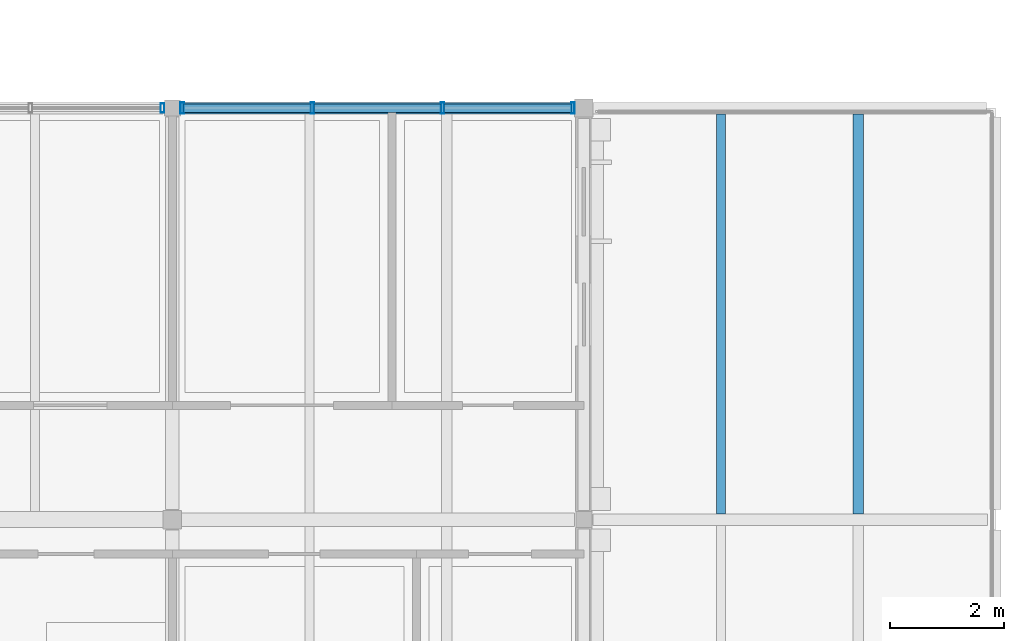
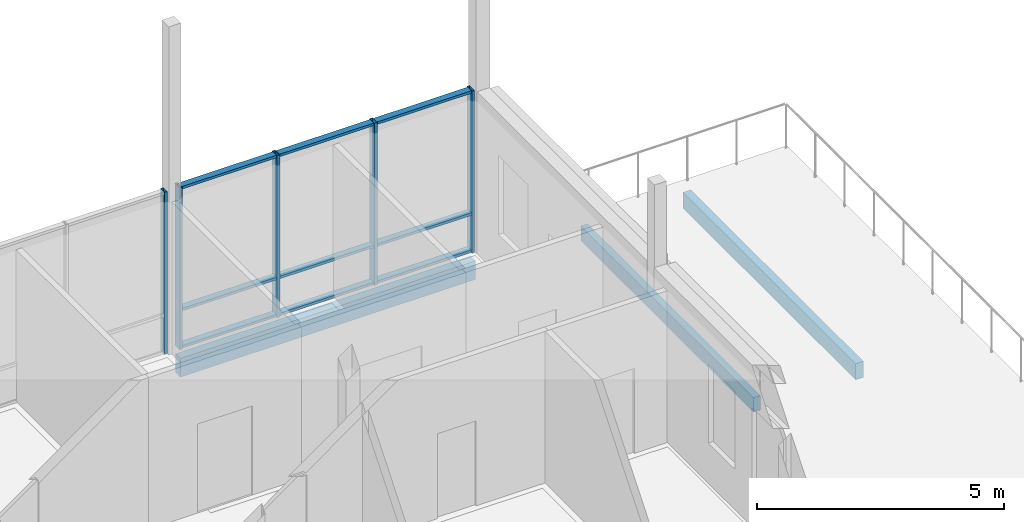
# One storey, part 26 of 57: 14 members, 3 beams, 2 elements without a shape of their own.
"""IFC4 building model written with IfcOpenShell, lengths in metres."""

from ifc_helpers import new_model, si_unit, direction, frame, origin, origin_2d, place, context, subcontext, project, spatial, rectangle, hollow_rectangle, extrude, material, material_profile, profile_set, type_object, element, aggregate, save


model = new_model("IFC4")

# Units and contexts
model_context = context("Model", 3, precision=1e-05, world=origin(), true_north=direction((0.0, 1.0)))
body_context = subcontext(model_context, "Body", "Model", "MODEL_VIEW")
ifc_project = project(units=[si_unit("LENGTHUNIT", "METRE"), si_unit("AREAUNIT", "SQUARE_METRE"), si_unit("VOLUMEUNIT", "CUBIC_METRE"), si_unit("PLANEANGLEUNIT", "RADIAN"), si_unit("MASSUNIT", "GRAM", prefix="KILO")], contexts=[model_context])

# Site, building, storey
site_placement = place(None, origin())
site = spatial("IfcSite", under=ifc_project, at=site_placement, CompositionType="ELEMENT")
building_placement = place(site_placement, origin())
building = spatial("IfcBuilding", under=site, at=building_placement, Name="Hawrajan Terrace Health Centre", CompositionType="ELEMENT")
storey_placement = place(building_placement, frame((0.0, 0.0, 13.199951171875)))
storey = spatial("IfcBuildingStorey", under=building, at=storey_placement, Name="L03", CompositionType="ELEMENT", Elevation=13.199951171875)

# Curtain wall, member
ifc_material_1 = material(Name="Anodized bronze aluminium and low-E solar glazing", Category="aluminium")
curtain_wall_type_1 = type_object("IfcCurtainWallType", Name="CW_Court_SeriesA3", PredefinedType="USERDEFINED", material=ifc_material_1)
curtain_wall_1_placement = place(storey_placement, origin())
curtain_wall_1 = element("IfcCurtainWall", 1, at=curtain_wall_1_placement, inside=storey, type_object=curtain_wall_type_1, Name="Curtain wall CW-L03-171", ObjectType="UNITISED CURTAIN WALL", PredefinedType="USERDEFINED")
ifc_material_2 = material(Name="Anodized bronze aluminium 6063-T6", Category="aluminium")
ifc_material_profile_1 = material_profile(ifc_material_2, hollow_rectangle(XDim=0.06494140625, YDim=0.159912109375, WallThickness=0.00390625, at=origin_2d()), Name="CW MUL 65x160")
ifc_profile_set_1 = profile_set([ifc_material_profile_1], Name="Anodized bronze aluminium 6063-T6")
member_type_1 = type_object("IfcMemberType", Name="CWMullion_65x160", PredefinedType="MULLION", material=ifc_profile_set_1)
member_1_placement = place(storey_placement, frame((100.427490234375, 18.60009765625, -0.0048828125), z_axis=(0.0, 0.0, 1.0), x_axis=(1.0, 0.0, 0.0)))
member_1 = element("IfcMember", 2, at=member_1_placement, type_object=member_type_1, Name="Mullion CW-L03-171-M5", PredefinedType="MULLION", context=body_context, shape_type="SweptSolid", body=[
    extrude(hollow_rectangle(XDim=0.06494140625, YDim=0.159912109375, WallThickness=0.00390625, at=origin_2d()), origin(), (0.0, 0.0, 1.0), 4.010009765625),
])
aggregate(curtain_wall_1, [member_1])

# Curtain wall, members
curtain_wall_type_2 = type_object("IfcCurtainWallType", Name="CW_Court_SeriesB1", PredefinedType="USERDEFINED", material=ifc_material_1)
curtain_wall_2_placement = place(storey_placement, origin())
curtain_wall_2 = element("IfcCurtainWall", 3, at=curtain_wall_2_placement, inside=storey, type_object=curtain_wall_type_2, Name="Curtain wall CW-L03-172", ObjectType="UNITISED CURTAIN WALL", PredefinedType="USERDEFINED")
ifc_material_profile_2 = material_profile(ifc_material_2, hollow_rectangle(XDim=0.06494140625, YDim=0.199951171875, WallThickness=0.00439453125, at=origin_2d()), Name="CW MUL 65x200")
ifc_profile_set_2 = profile_set([ifc_material_profile_2], Name="Anodized bronze aluminium 6063-T6")
member_type_2 = type_object("IfcMemberType", Name="CWMullion_65x200", PredefinedType="MULLION", material=ifc_profile_set_2)
member_2_placement = place(storey_placement, frame((100.7724609375, 18.60009765625, -0.0048828125), z_axis=(0.0, 0.0, 1.0), x_axis=(1.0, 0.0, 0.0)))
member_2 = element("IfcMember", 4, at=member_2_placement, type_object=member_type_2, Name="Mullion CW-L03-172-M1", PredefinedType="MULLION", context=body_context, shape_type="SweptSolid", body=[
    extrude(hollow_rectangle(XDim=0.06494140625, YDim=0.199951171875, WallThickness=0.00439453125, at=origin_2d()), origin(), (0.0, 0.0, 1.0), 4.010009765625),
])
member_3_placement = place(storey_placement, frame((103.05078125, 18.60009765625, -0.0048828125), z_axis=(0.0, 0.0, 1.0), x_axis=(1.0, 0.0, 0.0)))
member_3 = element("IfcMember", 5, at=member_3_placement, type_object=member_type_2, Name="Mullion CW-L03-172-M2", PredefinedType="MULLION", context=body_context, shape_type="SweptSolid", body=[
    extrude(hollow_rectangle(XDim=0.06494140625, YDim=0.199951171875, WallThickness=0.00439453125, at=origin_2d()), origin(), (0.0, 0.0, 1.0), 4.010009765625),
])
member_4_placement = place(storey_placement, frame((105.3291015625, 18.60009765625, -0.0048828125), z_axis=(0.0, 0.0, 1.0), x_axis=(1.0, 0.0, 0.0)))
member_4 = element("IfcMember", 6, at=member_4_placement, type_object=member_type_2, Name="Mullion CW-L03-172-M3", PredefinedType="MULLION", context=body_context, shape_type="SweptSolid", body=[
    extrude(hollow_rectangle(XDim=0.06494140625, YDim=0.199951171875, WallThickness=0.00439453125, at=origin_2d()), origin(), (0.0, 0.0, 1.0), 4.010009765625),
])
member_5_placement = place(storey_placement, frame((107.607421875, 18.60009765625, -0.0048828125), z_axis=(0.0, 0.0, 1.0), x_axis=(1.0, 0.0, 0.0)))
member_5 = element("IfcMember", 7, at=member_5_placement, type_object=member_type_2, Name="Mullion CW-L03-172-M4", PredefinedType="MULLION", context=body_context, shape_type="SweptSolid", body=[
    extrude(hollow_rectangle(XDim=0.06494140625, YDim=0.199951171875, WallThickness=0.00439453125, at=origin_2d()), origin(), (0.0, 0.0, 1.0), 4.010009765625),
])
ifc_material_profile_3 = material_profile(ifc_material_2, hollow_rectangle(XDim=0.06494140625, YDim=0.14990234375, WallThickness=0.00390625, at=origin_2d()), Name="CW TRN 65x150")
ifc_profile_set_3 = profile_set([ifc_material_profile_3], Name="Anodized bronze aluminium 6063-T6")
member_type_3 = type_object("IfcMemberType", Name="CWTransom_65x150", PredefinedType="USERDEFINED", material=ifc_profile_set_3)
member_6_placement = place(storey_placement, frame((100.799072265625, 18.60009765625, 0.032470703125), z_axis=(1.0, 0.0, 0.0), x_axis=(0.0, 0.0, 1.0)))
member_6 = element("IfcMember", 8, at=member_6_placement, type_object=member_type_3, Name="Transom CW-L03-172-T1-1", ObjectType="TRANSOM", PredefinedType="USERDEFINED", context=body_context, shape_type="SweptSolid", body=[
    extrude(hollow_rectangle(XDim=0.06494140625, YDim=0.14990234375, WallThickness=0.00390625, at=origin_2d()), origin(), (0.0, 0.0, 1.0), 2.225341796875),
])
member_7_placement = place(storey_placement, frame((100.799072265625, 18.60009765625, 0.949951171875), z_axis=(1.0, 0.0, 0.0), x_axis=(0.0, 0.0, 1.0)))
member_7 = element("IfcMember", 9, at=member_7_placement, type_object=member_type_3, Name="Transom CW-L03-172-T1-2", ObjectType="TRANSOM", PredefinedType="USERDEFINED", context=body_context, shape_type="SweptSolid", body=[
    extrude(hollow_rectangle(XDim=0.06494140625, YDim=0.14990234375, WallThickness=0.00390625, at=origin_2d()), origin(), (0.0, 0.0, 1.0), 2.225341796875),
])
member_8_placement = place(storey_placement, frame((100.799072265625, 18.60009765625, 3.967529296875), z_axis=(1.0, 0.0, 0.0), x_axis=(0.0, 0.0, 1.0)))
member_8 = element("IfcMember", 10, at=member_8_placement, type_object=member_type_3, Name="Transom CW-L03-172-T1-3", ObjectType="TRANSOM", PredefinedType="USERDEFINED", context=body_context, shape_type="SweptSolid", body=[
    extrude(hollow_rectangle(XDim=0.06494140625, YDim=0.14990234375, WallThickness=0.00390625, at=origin_2d()), origin(), (0.0, 0.0, 1.0), 2.225341796875),
])
member_9_placement = place(storey_placement, frame((103.077392578125, 18.60009765625, 0.032470703125), z_axis=(1.0, 0.0, 0.0), x_axis=(0.0, 0.0, 1.0)))
member_9 = element("IfcMember", 11, at=member_9_placement, type_object=member_type_3, Name="Transom CW-L03-172-T2-1", ObjectType="TRANSOM", PredefinedType="USERDEFINED", context=body_context, shape_type="SweptSolid", body=[
    extrude(hollow_rectangle(XDim=0.06494140625, YDim=0.14990234375, WallThickness=0.00390625, at=origin_2d()), origin(), (0.0, 0.0, 1.0), 2.225341796875),
])
member_10_placement = place(storey_placement, frame((103.077392578125, 18.60009765625, 0.949951171875), z_axis=(1.0, 0.0, 0.0), x_axis=(0.0, 0.0, 1.0)))
member_10 = element("IfcMember", 12, at=member_10_placement, type_object=member_type_3, Name="Transom CW-L03-172-T2-2", ObjectType="TRANSOM", PredefinedType="USERDEFINED", context=body_context, shape_type="SweptSolid", body=[
    extrude(hollow_rectangle(XDim=0.06494140625, YDim=0.14990234375, WallThickness=0.00390625, at=origin_2d()), origin(), (0.0, 0.0, 1.0), 2.225341796875),
])
member_11_placement = place(storey_placement, frame((103.077392578125, 18.60009765625, 3.967529296875), z_axis=(1.0, 0.0, 0.0), x_axis=(0.0, 0.0, 1.0)))
member_11 = element("IfcMember", 13, at=member_11_placement, type_object=member_type_3, Name="Transom CW-L03-172-T2-3", ObjectType="TRANSOM", PredefinedType="USERDEFINED", context=body_context, shape_type="SweptSolid", body=[
    extrude(hollow_rectangle(XDim=0.06494140625, YDim=0.14990234375, WallThickness=0.00390625, at=origin_2d()), origin(), (0.0, 0.0, 1.0), 2.225341796875),
])
member_12_placement = place(storey_placement, frame((105.355712890625, 18.60009765625, 0.032470703125), z_axis=(1.0, 0.0, 0.0), x_axis=(0.0, 0.0, 1.0)))
member_12 = element("IfcMember", 14, at=member_12_placement, type_object=member_type_3, Name="Transom CW-L03-172-T3-1", ObjectType="TRANSOM", PredefinedType="USERDEFINED", context=body_context, shape_type="SweptSolid", body=[
    extrude(hollow_rectangle(XDim=0.06494140625, YDim=0.14990234375, WallThickness=0.00390625, at=origin_2d()), origin(), (0.0, 0.0, 1.0), 2.225341796875),
])
member_13_placement = place(storey_placement, frame((105.355712890625, 18.60009765625, 0.949951171875), z_axis=(1.0, 0.0, 0.0), x_axis=(0.0, 0.0, 1.0)))
member_13 = element("IfcMember", 15, at=member_13_placement, type_object=member_type_3, Name="Transom CW-L03-172-T3-2", ObjectType="TRANSOM", PredefinedType="USERDEFINED", context=body_context, shape_type="SweptSolid", body=[
    extrude(hollow_rectangle(XDim=0.06494140625, YDim=0.14990234375, WallThickness=0.00390625, at=origin_2d()), origin(), (0.0, 0.0, 1.0), 2.225341796875),
])
member_14_placement = place(storey_placement, frame((105.355712890625, 18.60009765625, 3.967529296875), z_axis=(1.0, 0.0, 0.0), x_axis=(0.0, 0.0, 1.0)))
member_14 = element("IfcMember", 16, at=member_14_placement, type_object=member_type_3, Name="Transom CW-L03-172-T3-3", ObjectType="TRANSOM", PredefinedType="USERDEFINED", context=body_context, shape_type="SweptSolid", body=[
    extrude(hollow_rectangle(XDim=0.06494140625, YDim=0.14990234375, WallThickness=0.00390625, at=origin_2d()), origin(), (0.0, 0.0, 1.0), 2.225341796875),
])
aggregate(curtain_wall_2, [member_2, member_3, member_4, member_5, member_6, member_7, member_8, member_9, member_10, member_11, member_12, member_13, member_14])

# Beams
ifc_material_3 = material(Name="Glulam GL28h", Category="wood")
ifc_material_profile_4 = material_profile(ifc_material_3, rectangle(XDim=0.159912109375, YDim=0.360107421875, at=origin_2d()), Name="GL JST 160x360")
ifc_profile_set_4 = profile_set([ifc_material_profile_4], Name="Glulam GL28h")
beam_type_1 = type_object("IfcBeamType", Name="GlulamJoist_160x360", PredefinedType="JOIST", material=ifc_profile_set_4)
beam_1_placement = place(storey_placement, frame((110.199951171875, 11.5, -0.39990234375), z_axis=(0.0, 1.0, 0.0), x_axis=(-1.0, 0.0, 0.0)))
element("IfcBeam", 17, at=beam_1_placement, inside=storey, type_object=beam_type_1, Name="Secondary joist JST-L03-C-14-2-1", PredefinedType="JOIST", context=body_context, shape_type="SweptSolid", body=[
    extrude(rectangle(XDim=0.159912109375, YDim=0.360107421875, at=origin_2d()), origin(), (0.0, 0.0, 1.0), 7.0),
])
ifc_material_profile_5 = material_profile(ifc_material_3, rectangle(XDim=0.179931640625, YDim=0.39990234375, at=origin_2d()), Name="GL JST 180x400")
ifc_profile_set_5 = profile_set([ifc_material_profile_5], Name="Glulam GL28h")
beam_type_2 = type_object("IfcBeamType", Name="GlulamJoist_180x400", PredefinedType="JOIST", material=ifc_profile_set_5)
beam_2_placement = place(storey_placement, frame((112.60009765625, 11.5, -0.419921875), z_axis=(0.0, 1.0, 0.0), x_axis=(-1.0, 0.0, 0.0)))
element("IfcBeam", 18, at=beam_2_placement, inside=storey, type_object=beam_type_2, Name="Secondary joist JST-L03-C-14-2-2", PredefinedType="JOIST", context=body_context, shape_type="SweptSolid", body=[
    extrude(rectangle(XDim=0.179931640625, YDim=0.39990234375, at=origin_2d()), origin(), (0.0, 0.0, 1.0), 7.0),
])
ifc_material_4 = material(Name="Glulam GL32h", Category="wood")
ifc_material_profile_6 = material_profile(ifc_material_4, rectangle(XDim=0.199951171875, YDim=0.4599609375, at=origin_2d()), Name="GL SP 200x460")
ifc_profile_set_6 = profile_set([ifc_material_profile_6], Name="Glulam GL32h")
beam_type_3 = type_object("IfcBeamType", Name="GlulamSpandrel_200x460", PredefinedType="SPANDREL", material=ifc_profile_set_6)
beam_3_placement = place(storey_placement, frame((100.760009765625, 18.60009765625, -0.449951171875), z_axis=(1.0, 0.0, 0.0), x_axis=(0.0, 1.0, 0.0)))
element("IfcBeam", 19, at=beam_3_placement, inside=storey, type_object=beam_type_3, Name="Beam BM-X-L03-C-13-Y3", PredefinedType="SPANDREL", context=body_context, shape_type="SweptSolid", body=[
    extrude(rectangle(XDim=0.199951171875, YDim=0.4599609375, at=origin_2d()), origin(), (0.0, 0.0, 1.0), 6.89990234375),
])

save(model, "model.ifc")
